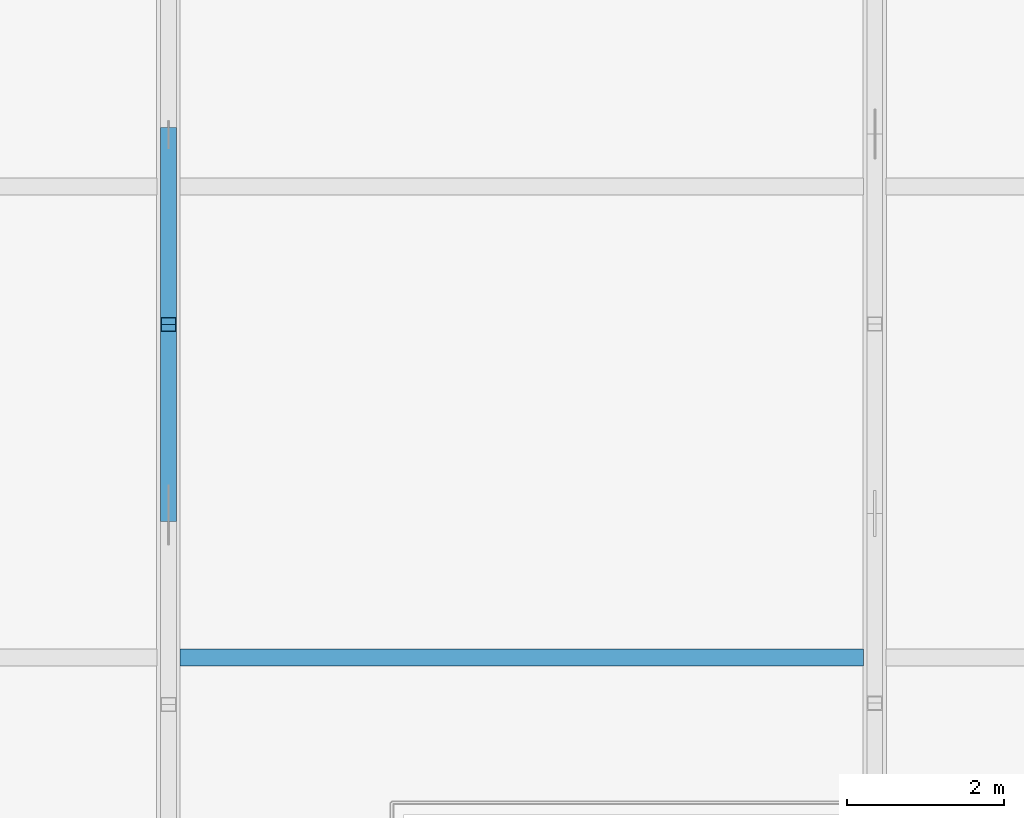
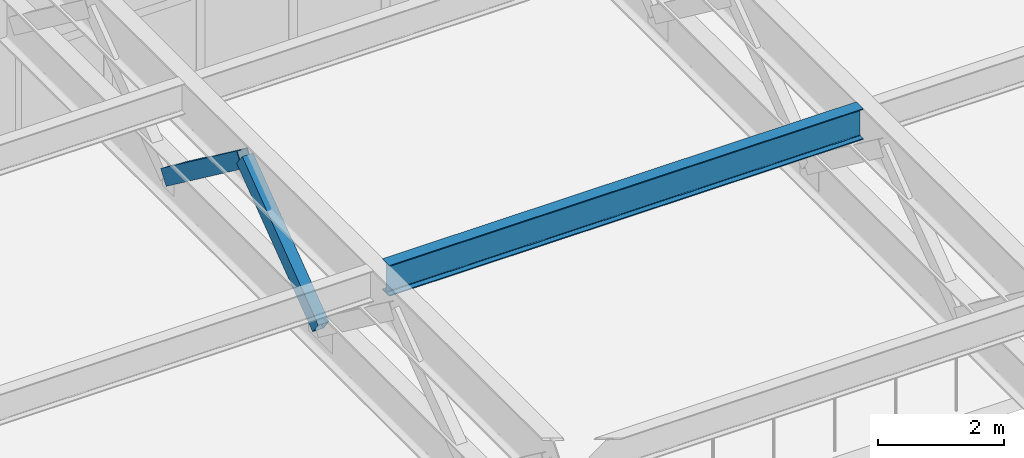
# One storey, part 30 of 210: 2 members, 1 beam.
"""IFC4 building model written with IfcOpenShell, lengths in metres."""

from ifc_helpers import new_model, si_unit, direction, frame, origin, origin_2d, place, context, subcontext, project, spatial, hollow_rectangle, i_section, extrude, material, material_profile, profile_set, type_object, element, save


model = new_model("IFC4")

# Units and contexts
model_context = context("Model", 3, precision=1e-05, world=origin(), true_north=direction((0.0, 1.0)))
body_context = subcontext(model_context, "Body", "Model", "MODEL_VIEW")
ifc_project = project(units=[si_unit("LENGTHUNIT", "METRE"), si_unit("AREAUNIT", "SQUARE_METRE"), si_unit("VOLUMEUNIT", "CUBIC_METRE"), si_unit("PLANEANGLEUNIT", "RADIAN"), si_unit("MASSUNIT", "GRAM", prefix="KILO")], contexts=[model_context])

# Site, building, storey
site_placement = place(None, origin())
site = spatial("IfcSite", under=ifc_project, at=site_placement, CompositionType="ELEMENT")
building_placement = place(site_placement, origin())
building = spatial("IfcBuilding", under=site, at=building_placement, Name="Kaldris Quays Convention Centre", CompositionType="ELEMENT")
storey_placement = place(building_placement, frame((0.0, 0.0, 6.0)))
storey = spatial("IfcBuildingStorey", under=building, at=storey_placement, Name="L01", CompositionType="ELEMENT", Elevation=6.0)

# Beam
ifc_material_1 = material(Name="Steel S355J2", Category="steel")
ifc_material_profile_1 = material_profile(ifc_material_1, i_section(OverallWidth=0.219970703125, OverallDepth=0.60009765625, WebThickness=0.011962890625, FlangeThickness=0.01904296875, FilletRadius=0.02392578125, at=origin_2d()), Name="IPE 600")
ifc_profile_set_1 = profile_set([ifc_material_profile_1], Name="Steel S355J2")
beam_type = type_object("IfcBeamType", Name="STRUCTURAL BEAM BM10", PredefinedType="BEAM", material=ifc_profile_set_1)
beam_placement = place(storey_placement, frame((29.14501953125, 34.0, 4.758056640625), z_axis=(1.0, 0.0, 0.0), x_axis=(0.0, 1.0, 0.0)))
element("IfcBeam", 1, at=beam_placement, inside=storey, type_object=beam_type, Name="L01 Ballroom Tie Beam BM10", PredefinedType="BEAM", context=body_context, shape_type="SweptSolid", body=[
    extrude(i_section(OverallWidth=0.219970703125, OverallDepth=0.60009765625, WebThickness=0.011962890625, FlangeThickness=0.01904296875, FilletRadius=0.02392578125, at=origin_2d()), origin(), (0.0, 0.0, 1.0), 8.7099609375),
])

# Members
ifc_material_2 = material(Name="Steel S355J2H", Category="steel")
ifc_material_profile_2 = material_profile(ifc_material_2, hollow_rectangle(XDim=0.199951171875, YDim=0.300048828125, WallThickness=0.012451171875, at=origin_2d()), Name="RHS 300x200x12.5")
ifc_profile_set_2 = profile_set([ifc_material_profile_2], Name="Steel S355J2H")
member_type = type_object("IfcMemberType", Name="STRUCTURAL MEMBER TTD1", PredefinedType="BRACE", material=ifc_profile_set_2)
for number, where, z_axis, x_axis, name in (
    (2, (29.0, 35.820068359375, 2.75), (0.0, 0.801084905857, 0.598550727681), (-1.0, 0.0, 0.0), "Transfer Truss TT02 Diagonal 7"),
    (3, (29.0, 40.659912109375, 2.75), (0.0, -0.801084905857, 0.598550727681), (1.0, 0.0, 0.0), "Transfer Truss TT02 Diagonal 8"),
):
    element("IfcMember", number, at=place(storey_placement, frame(where, z_axis=z_axis, x_axis=x_axis)), inside=storey, type_object=member_type, Name=name, PredefinedType="BRACE", context=body_context, shape_type="SweptSolid", body=[
        extrude(hollow_rectangle(XDim=0.199951171875, YDim=0.300048828125, WallThickness=0.012451171875, at=origin_2d()), origin(), (0.0, 0.0, 1.0), 3.020751953125),
    ])

save(model, "model.ifc")
